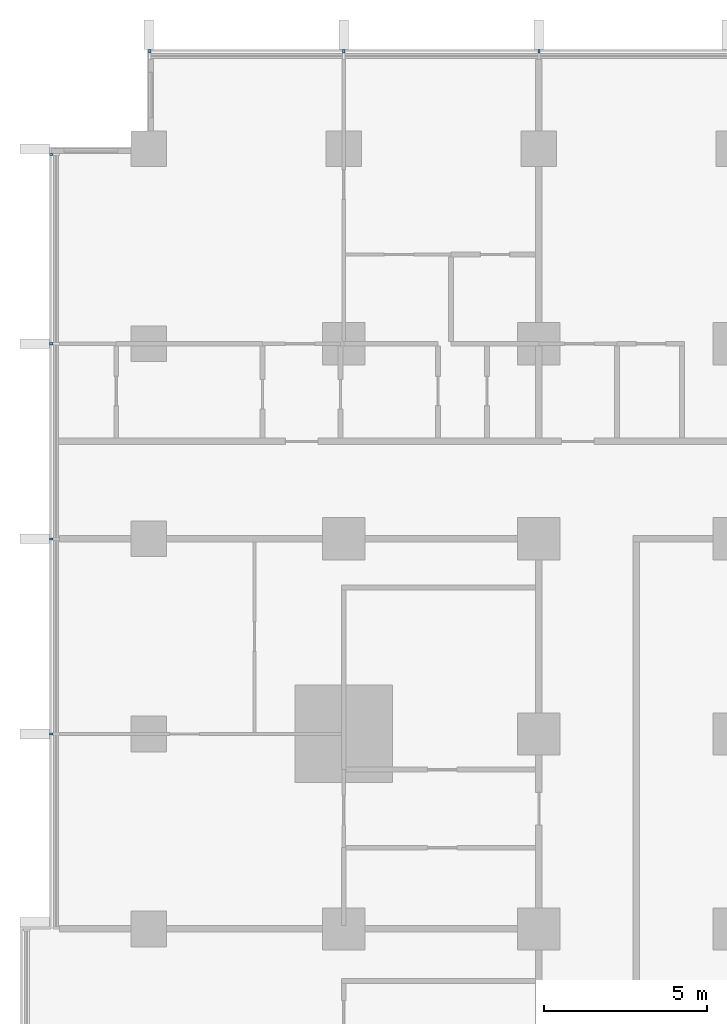
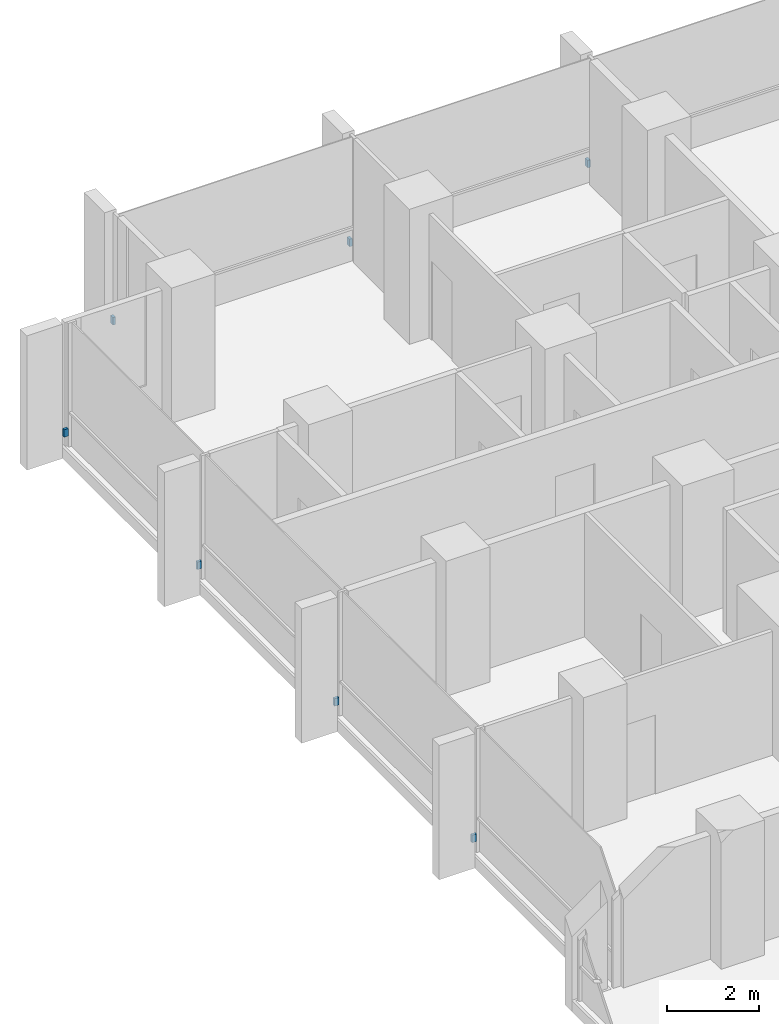
# One storey, part 16 of 18: 7 discrete accessories.
"""IFC4 building model written with IfcOpenShell, lengths in metres."""

from ifc_helpers import new_model, si_unit, direction, frame, origin, origin_2d, place, context, subcontext, project, spatial, rectangle, extrude, material, type_object, element, save


model = new_model("IFC4")

# Units and contexts
model_context = context("Model", 3, precision=1e-05, world=origin(), true_north=direction((0.0, 1.0)))
body_context = subcontext(model_context, "Body", "Model", "MODEL_VIEW")
ifc_project = project(units=[si_unit("LENGTHUNIT", "METRE"), si_unit("AREAUNIT", "SQUARE_METRE"), si_unit("VOLUMEUNIT", "CUBIC_METRE"), si_unit("PLANEANGLEUNIT", "RADIAN"), si_unit("MASSUNIT", "GRAM", prefix="KILO")], contexts=[model_context])

# Site, building, storey
site_placement = place(None, origin())
site = spatial("IfcSite", under=ifc_project, at=site_placement, CompositionType="ELEMENT")
building_placement = place(site_placement, origin())
building = spatial("IfcBuilding", under=site, at=building_placement, Name="Finial Court Residences", CompositionType="ELEMENT")
storey_placement = place(building_placement, frame((0.0, 0.0, 57.699951171875)))
storey = spatial("IfcBuildingStorey", under=building, at=storey_placement, Name="L13", CompositionType="ELEMENT", Elevation=57.699951171875)

# Discrete accessories
ifc_material = material(Name="Stainless steel 316", Category="steel")
discrete_accessory_type = type_object("IfcDiscreteAccessoryType", Name="Fin bracket, stainless steel 65 x 110 x 200", PredefinedType="BRACKET", material=ifc_material)
for number, where, z_axis, x_axis, name in (
    (1, (-22.467529296875, 28.5048828125, 0.30029296875), (0.0, 0.0, 1.0), (1.0, 0.0, 0.0), "E-L13-FIN-N1-BRK"),
    (2, (-16.5, 28.5048828125, 0.30029296875), (0.0, 0.0, 1.0), (1.0, 0.0, 0.0), "E-L13-FIN-N2-BRK"),
    (3, (-10.5, 28.5048828125, 0.30029296875), (0.0, 0.0, 1.0), (1.0, 0.0, 0.0), "E-L13-FIN-N3-BRK"),
):
    element("IfcDiscreteAccessory", number, at=place(storey_placement, frame(where, z_axis=z_axis, x_axis=x_axis)), inside=storey, type_object=discrete_accessory_type, Name=name, PredefinedType="BRACKET", context=body_context, shape_type="SweptSolid", body=[
        extrude(rectangle(XDim=0.06494140625, YDim=0.110107421875, at=origin_2d()), origin(), (0.0, 0.0, 1.0), 0.199951171875),
    ])
for number, where, z_axis, x_axis, name in (
    (4, (-25.5048828125, 7.5, 0.30029296875), (0.0, 0.0, 1.0), (1.0, 0.0, 0.0), "E-L13-FIN-W31-BRK"),
    (5, (-25.5048828125, 13.5, 0.30029296875), (0.0, 0.0, 1.0), (1.0, 0.0, 0.0), "E-L13-FIN-W32-BRK"),
    (6, (-25.5048828125, 19.5, 0.30029296875), (0.0, 0.0, 1.0), (1.0, 0.0, 0.0), "E-L13-FIN-W33-BRK"),
    (7, (-25.5048828125, 25.3173828125, 0.30029296875), (0.0, 0.0, 1.0), (1.0, 0.0, 0.0), "E-L13-FIN-W34-BRK"),
):
    element("IfcDiscreteAccessory", number, at=place(storey_placement, frame(where, z_axis=z_axis, x_axis=x_axis)), inside=storey, type_object=discrete_accessory_type, Name=name, PredefinedType="BRACKET", context=body_context, shape_type="SweptSolid", body=[
        extrude(rectangle(XDim=0.110107421875, YDim=0.06494140625, at=origin_2d()), origin(), (0.0, 0.0, 1.0), 0.199951171875),
    ])

save(model, "model.ifc")
